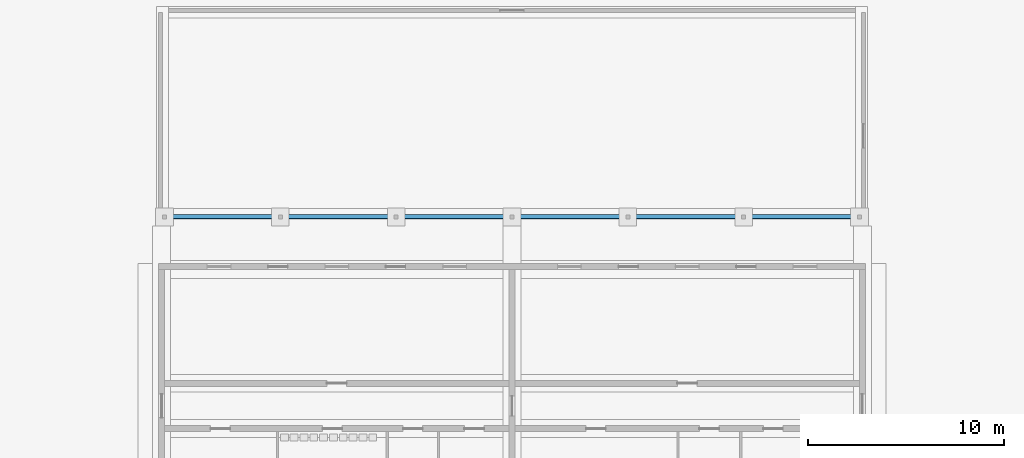
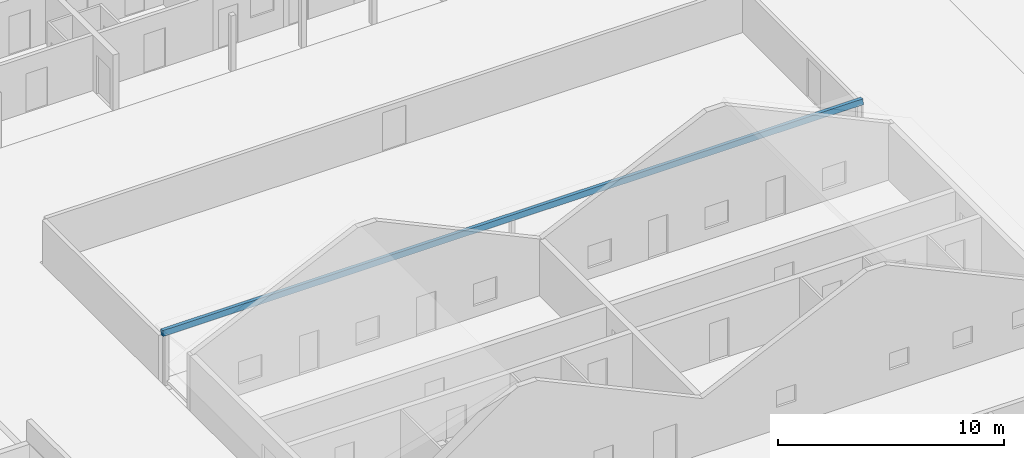
# One storey, part 18 of 112: 1 beam.
"""IFC4 building model written with IfcOpenShell, lengths in metres."""

from ifc_helpers import new_model, si_unit, direction, frame, origin, origin_2d, place, context, subcontext, project, spatial, rectangle, extrude, material, material_profile, profile_set, type_object, element, save


model = new_model("IFC4")

# Units and contexts
model_context = context("Model", 3, precision=1e-05, world=origin(), true_north=direction((0.0, 1.0)))
body_context = subcontext(model_context, "Body", "Model", "MODEL_VIEW")
ifc_project = project(units=[si_unit("LENGTHUNIT", "METRE"), si_unit("AREAUNIT", "SQUARE_METRE"), si_unit("VOLUMEUNIT", "CUBIC_METRE"), si_unit("PLANEANGLEUNIT", "RADIAN"), si_unit("MASSUNIT", "GRAM", prefix="KILO")], contexts=[model_context])

# Site, building, storey
site_placement = place(None, origin())
site = spatial("IfcSite", under=ifc_project, at=site_placement, CompositionType="ELEMENT")
building_placement = place(site_placement, origin())
building = spatial("IfcBuilding", under=site, at=building_placement, Name="Ridgestep Commons", CompositionType="ELEMENT")
storey_placement = place(building_placement, origin())
storey = spatial("IfcBuildingStorey", under=building, at=storey_placement, Name="L00", CompositionType="ELEMENT", Elevation=0.0)

# Beam
ifc_material = material(Name="Precast concrete C40/50", Category="concrete")
ifc_material_profile = material_profile(ifc_material, rectangle(XDim=0.199951171875, YDim=0.300048828125, at=origin_2d()), Name="Verandah beam 200 x 300")
ifc_profile_set = profile_set([ifc_material_profile], Name="Precast concrete C40/50")
beam_type = type_object("IfcBeamType", Name="Verandah beam 200 x 300", PredefinedType="BEAM", material=ifc_profile_set)
beam_placement = place(storey_placement, frame((20.10009765625, 46.883544921875, 2.5869140625), z_axis=(1.0, 0.0, 0.0), x_axis=(0.0, 0.994004355935, -0.10934047916)))
element("IfcBeam", 1, at=beam_placement, inside=storey, type_object=beam_type, Name="Verandah eave beam", PredefinedType="BEAM", context=body_context, shape_type="SweptSolid", body=[
    extrude(rectangle(XDim=0.199951171875, YDim=0.300048828125, at=origin_2d()), origin(), (0.0, 0.0, 1.0), 35.7998046875),
])

save(model, "model.ifc")
